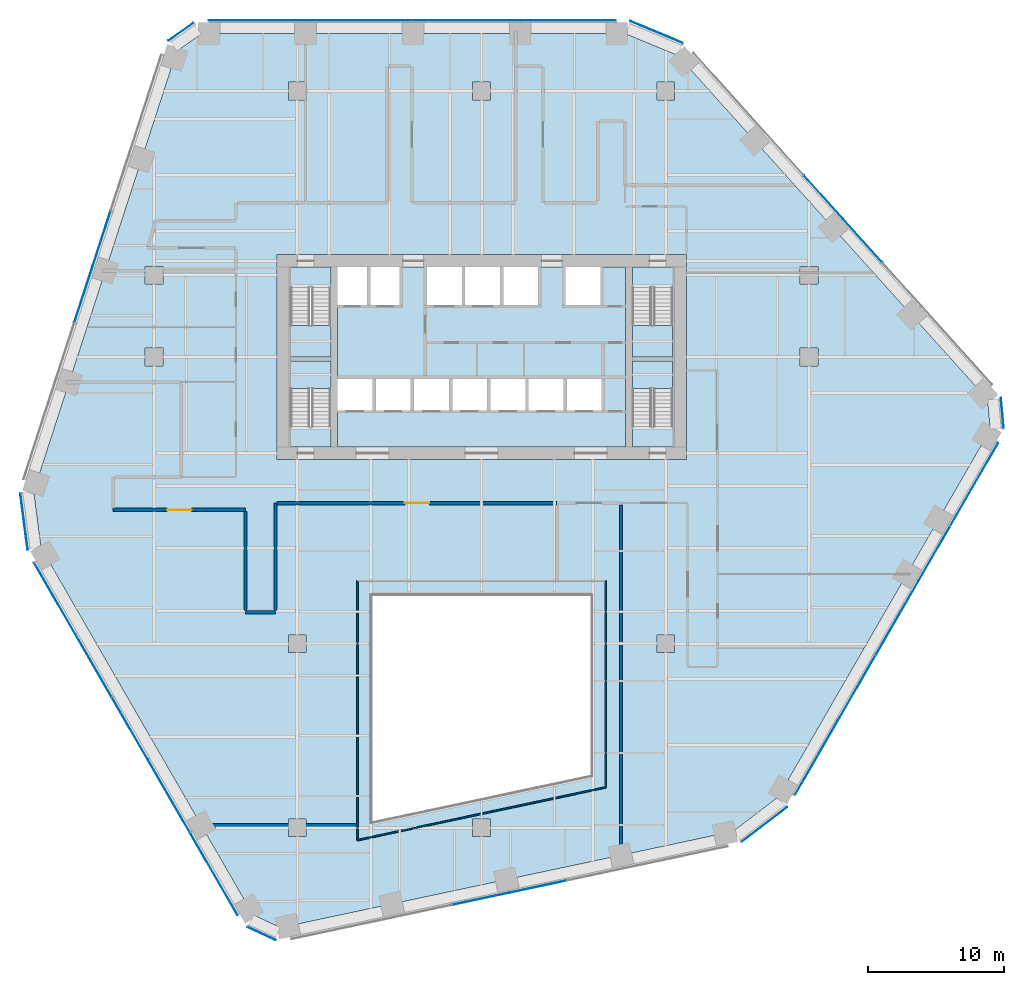
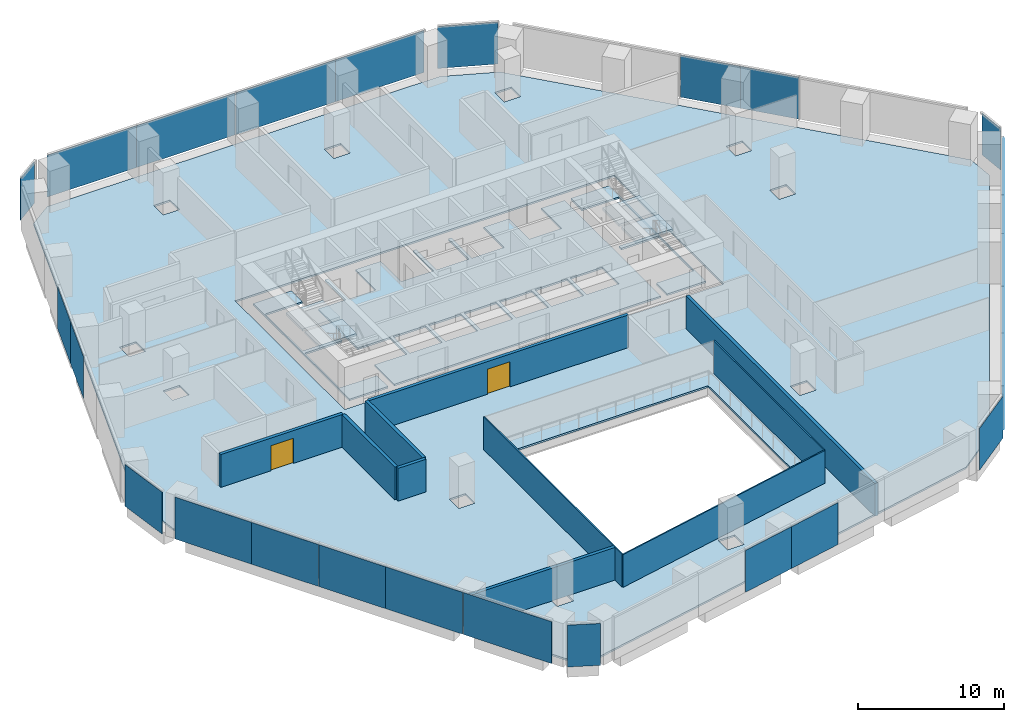
# One storey, part 13 of 21: 26 plates, 10 walls, 8 slabs, 2 doors, 2 openings, 16 elements without a shape of their own.
"""IFC4 building model written with IfcOpenShell, lengths in metres."""

from ifc_helpers import new_model, si_unit, direction, frame, frame_2d, origin, origin_2d, place, context, subcontext, project, spatial, polyline, rectangle, outline, extrude, material, layer, layer_set, type_object, element, fill, aggregate, save


model = new_model("IFC4")

# Units and contexts
model_context = context("Model", 3, precision=1e-05, world=origin(), true_north=direction((0.0, 1.0)))
body_context = subcontext(model_context, "Body", "Model", "MODEL_VIEW")
ifc_project = project(units=[si_unit("LENGTHUNIT", "METRE"), si_unit("AREAUNIT", "SQUARE_METRE"), si_unit("VOLUMEUNIT", "CUBIC_METRE"), si_unit("PLANEANGLEUNIT", "RADIAN"), si_unit("MASSUNIT", "GRAM", prefix="KILO")], contexts=[model_context])

# Site, building, storey
site_placement = place(None, origin())
site = spatial("IfcSite", under=ifc_project, at=site_placement, CompositionType="ELEMENT")
building_placement = place(site_placement, origin())
building = spatial("IfcBuilding", under=site, at=building_placement, Name="Isthmus Gate Tower", CompositionType="ELEMENT")
storey_placement = place(building_placement, frame((0.0, 0.0, 102.550048828125)))
storey = spatial("IfcBuildingStorey", under=building, at=storey_placement, Name="L24", CompositionType="ELEMENT", Elevation=102.550048828125)

# Slabs
ifc_material_1 = material(Name="Concrete f'c 40 MPa", Category="concrete")
ifc_layer_1 = layer(ifc_material_1, 0.14990234375)
ifc_layer_set_1 = layer_set([ifc_layer_1], Name="COMPOSITE FLOOR SLAB 150")
slab_type_1 = type_object("IfcSlabType", Name="COMPOSITE FLOOR SLAB 150", PredefinedType="FLOOR", material=ifc_layer_set_1)
slab_1_placement = place(storey_placement, frame((0.0, 0.0, -0.150146484375)))
element("IfcSlab", 1, at=slab_1_placement, inside=storey, type_object=slab_type_1, Name="str-slab-L24-1", PredefinedType="FLOOR", context=body_context, shape_type="SweptSolid", body=[
    extrude(outline(polyline([(14.391357421875, 29.599365234375), (37.081787109375, 4.399169921875), (37.281494140625, 2.17333984375), (21.748779296875, -24.729736328125), (18.438232421875, -27.262939453125), (-14.73095703125, -34.313232421875), (-16.758544921875, -33.373291015625), (-32.291015625, -6.47021484375), (-32.82958984375, -2.33642578125), (-22.3505859375, 29.9140625), (-20.52294921875, 31.199951171875), (10.542236328125, 31.199951171875), (14.391357421875, 29.599365234375)]), holes=[polyline([(-14.14990234375, -27.64990234375), (-12.85009765625, -27.64990234375), (-12.85009765625, -26.35009765625), (-14.14990234375, -26.35009765625), (-14.14990234375, -27.64990234375)]), polyline([(-0.64990234375, -26.35009765625), (-0.64990234375, -27.64990234375), (0.64990234375, -27.64990234375), (0.64990234375, -26.35009765625), (-0.64990234375, -26.35009765625)]), polyline([(-14.14990234375, -12.85009765625), (-14.14990234375, -14.14990234375), (-12.85009765625, -14.14990234375), (-12.85009765625, -12.85009765625), (-14.14990234375, -12.85009765625)]), polyline([(-24.64990234375, 8.14990234375), (-24.64990234375, 6.85009765625), (-23.35009765625, 6.85009765625), (-23.35009765625, 8.14990234375), (-24.64990234375, 8.14990234375)]), polyline([(-23.35009765625, 14.14990234375), (-24.64990234375, 14.14990234375), (-24.64990234375, 12.85009765625), (-23.35009765625, 12.85009765625), (-23.35009765625, 14.14990234375)]), polyline([(-14.14990234375, 27.64990234375), (-14.14990234375, 26.35009765625), (-12.85009765625, 26.35009765625), (-12.85009765625, 27.64990234375), (-14.14990234375, 27.64990234375)]), polyline([(-0.64990234375, 27.64990234375), (-0.64990234375, 26.35009765625), (0.64990234375, 26.35009765625), (0.64990234375, 27.64990234375), (-0.64990234375, 27.64990234375)]), polyline([(8.0, -23.143310546875), (8.0, -10.0), (-8.0, -10.0), (-8.0, -26.544189453125), (8.0, -23.143310546875)]), polyline([(14.14990234375, -12.85009765625), (12.85009765625, -12.85009765625), (12.85009765625, -14.14990234375), (14.14990234375, -14.14990234375), (14.14990234375, -12.85009765625)]), polyline([(15.0, 15.0), (-15.0, 15.0), (-15.0, 0.0), (15.0, 0.0), (15.0, 15.0)]), polyline([(24.64990234375, 8.14990234375), (23.35009765625, 8.14990234375), (23.35009765625, 6.85009765625), (24.64990234375, 6.85009765625), (24.64990234375, 8.14990234375)]), polyline([(23.35009765625, 14.14990234375), (23.35009765625, 12.85009765625), (24.64990234375, 12.85009765625), (24.64990234375, 14.14990234375), (23.35009765625, 14.14990234375)]), polyline([(14.14990234375, 27.64990234375), (12.85009765625, 27.64990234375), (12.85009765625, 26.35009765625), (14.14990234375, 26.35009765625), (14.14990234375, 27.64990234375)])]), origin(), (0.0, 0.0, 1.0), 0.150146484375),
])
ifc_material_2 = material(Name="Concrete f'c 40 MPa", Category="concrete")
ifc_layer_2 = layer(ifc_material_2, 0.14990234375)
ifc_layer_set_2 = layer_set([ifc_layer_2], Name="CORE FLOOR SLAB 150")
slab_type_2 = type_object("IfcSlabType", Name="CORE FLOOR SLAB 150", PredefinedType="FLOOR", material=ifc_layer_set_2)
slab_2_placement = place(storey_placement, frame((0.0, 0.0, -0.150146484375)))
element("IfcSlab", 2, at=slab_2_placement, inside=storey, type_object=slab_type_2, Name="L24 core floor", PredefinedType="FLOOR", context=body_context, shape_type="SweptSolid", body=[
    extrude(outline(polyline([(-11.050048828125, 0.89990234375), (-11.050048828125, 2.402099609375), (-14.0, 2.402099609375), (-14.0, 7.199951171875), (-11.050048828125, 7.199951171875), (-11.050048828125, 7.5), (-14.0, 7.5), (-14.0, 12.597900390625), (-11.050048828125, 12.597900390625), (-11.050048828125, 14.10009765625), (-14.10009765625, 14.10009765625), (-14.10009765625, 0.89990234375), (-11.050048828125, 0.89990234375)])), origin(), (0.0, 0.0, 1.0), 0.150146484375),
])
slab_3_placement = place(storey_placement, frame((0.0, 0.0, -0.150146484375)))
element("IfcSlab", 3, at=slab_3_placement, inside=storey, type_object=slab_type_2, Name="L24 core floor", PredefinedType="FLOOR", context=body_context, shape_type="SweptSolid", body=[
    extrude(outline(polyline([(10.550048828125, 14.10009765625), (8.699951171875, 14.10009765625), (8.699951171875, 11.300048828125), (6.14990234375, 11.300048828125), (6.14990234375, 14.10009765625), (4.14990234375, 14.10009765625), (4.14990234375, 11.300048828125), (1.60009765625, 11.300048828125), (1.60009765625, 14.10009765625), (1.35009765625, 14.10009765625), (1.35009765625, 11.300048828125), (-1.199951171875, 11.300048828125), (-1.199951171875, 14.10009765625), (-1.449951171875, 14.10009765625), (-1.449951171875, 11.300048828125), (-4.0, 11.300048828125), (-4.0, 14.10009765625), (-6.0, 14.10009765625), (-6.0, 11.300048828125), (-8.14990234375, 11.300048828125), (-8.14990234375, 14.10009765625), (-8.39990234375, 14.10009765625), (-8.39990234375, 11.300048828125), (-10.550048828125, 11.300048828125), (-10.550048828125, 5.89990234375), (-8.0, 5.89990234375), (-8.0, 3.60009765625), (-10.550048828125, 3.60009765625), (-10.550048828125, 0.89990234375), (10.550048828125, 0.89990234375), (10.550048828125, 14.10009765625)]), holes=[polyline([(-5.199951171875, 5.89990234375), (-5.199951171875, 3.60009765625), (-7.75, 3.60009765625), (-7.75, 5.89990234375), (-5.199951171875, 5.89990234375)]), polyline([(-2.39990234375, 5.89990234375), (-2.39990234375, 3.60009765625), (-4.949951171875, 3.60009765625), (-4.949951171875, 5.89990234375), (-2.39990234375, 5.89990234375)]), polyline([(0.39990234375, 5.89990234375), (0.39990234375, 3.60009765625), (-2.14990234375, 3.60009765625), (-2.14990234375, 5.89990234375), (0.39990234375, 5.89990234375)]), polyline([(3.199951171875, 5.89990234375), (3.199951171875, 3.60009765625), (0.64990234375, 3.60009765625), (0.64990234375, 5.89990234375), (3.199951171875, 5.89990234375)]), polyline([(6.0, 5.89990234375), (6.0, 3.60009765625), (3.449951171875, 3.60009765625), (3.449951171875, 5.89990234375), (6.0, 5.89990234375)]), polyline([(8.800048828125, 5.89990234375), (8.800048828125, 3.60009765625), (6.25, 3.60009765625), (6.25, 5.89990234375), (8.800048828125, 5.89990234375)])]), origin(), (0.0, 0.0, 1.0), 0.150146484375),
])
slab_4_placement = place(storey_placement, frame((0.0, 0.0, -0.150146484375)))
element("IfcSlab", 4, at=slab_4_placement, inside=storey, type_object=slab_type_2, Name="L24 core floor", PredefinedType="FLOOR", context=body_context, shape_type="SweptSolid", body=[
    extrude(outline(polyline([(11.050048828125, 14.10009765625), (11.050048828125, 12.597900390625), (14.0, 12.597900390625), (14.0, 7.5), (11.050048828125, 7.5), (11.050048828125, 7.199951171875), (14.0, 7.199951171875), (14.0, 2.402099609375), (11.050048828125, 2.402099609375), (11.050048828125, 0.89990234375), (14.10009765625, 0.89990234375), (14.10009765625, 14.10009765625), (11.050048828125, 14.10009765625)])), origin(), (0.0, 0.0, 1.0), 0.150146484375),
])

# Curtain wall, plates
ifc_material_3 = material(Name="Aluminium, pale champagne anodised", Category="aluminium")
ifc_layer_3 = layer(ifc_material_3, 0.199951171875)
ifc_layer_set_3 = layer_set([ifc_layer_3], Name="CW-1 UNITISED CURTAIN WALL 200 DEEP")
curtain_wall_type = type_object("IfcCurtainWallType", Name="CW-1 UNITISED CURTAIN WALL 200 DEEP", PredefinedType="NOTDEFINED", material=ifc_layer_set_3)
curtain_wall_1_placement = place(storey_placement, origin())
curtain_wall_1 = element("IfcCurtainWall", 5, at=curtain_wall_1_placement, inside=storey, type_object=curtain_wall_type, Name="CW-1 N L24", PredefinedType="NOTDEFINED")
ifc_material_4 = material(Name="Laminated low-iron glass, pale blue tint", Category="glass")
ifc_layer_4 = layer(ifc_material_4, 0.0400390625)
ifc_layer_set_4 = layer_set([ifc_layer_4], Name="CW-1 CLEAR GLASS LITE 40")
plate_type = type_object("IfcPlateType", Name="CW-1 CLEAR GLASS LITE 40", PredefinedType="CURTAIN_PANEL", material=ifc_layer_set_4)
plate_1_placement = place(storey_placement, frame((6.337158203125, 32.179931640625, 0.0), z_axis=(0.0, 0.0, 1.0), x_axis=(-1.0, 0.0, 0.0)))
plate_1 = element("IfcPlate", 6, at=plate_1_placement, type_object=plate_type, Name="CW-1 glass lite", PredefinedType="CURTAIN_PANEL", context=body_context, shape_type="SweptSolid", body=[
    extrude(rectangle(XDim=7.009521484375, YDim=0.0400390625, at=origin_2d()), origin(), (0.0, 0.0, 1.0), 3.5),
])
plate_2_placement = place(storey_placement, frame((-1.1025390625, 32.179931640625, 0.0), z_axis=(0.0, 0.0, 1.0), x_axis=(-1.0, 0.0, 0.0)))
plate_2 = element("IfcPlate", 7, at=plate_2_placement, type_object=plate_type, Name="CW-1 glass lite", PredefinedType="CURTAIN_PANEL", context=body_context, shape_type="SweptSolid", body=[
    extrude(rectangle(XDim=7.86962890625, YDim=0.0400390625, at=origin_2d()), origin(), (0.0, 0.0, 1.0), 3.5),
])
plate_3_placement = place(storey_placement, frame((-9.001953125, 32.179931640625, 0.0), z_axis=(0.0, 0.0, 1.0), x_axis=(-1.0, 0.0, 0.0)))
plate_3 = element("IfcPlate", 8, at=plate_3_placement, type_object=plate_type, Name="CW-1 glass lite", PredefinedType="CURTAIN_PANEL", context=body_context, shape_type="SweptSolid", body=[
    extrude(rectangle(XDim=7.8095703125, YDim=0.0400390625, at=origin_2d()), origin(), (0.0, 0.0, 1.0), 3.5),
])
plate_4_placement = place(storey_placement, frame((-16.44140625, 32.179931640625, 0.0), z_axis=(0.0, 0.0, 1.0), x_axis=(-1.0, 0.0, 0.0)))
plate_4 = element("IfcPlate", 9, at=plate_4_placement, type_object=plate_type, Name="CW-1 glass lite", PredefinedType="CURTAIN_PANEL", context=body_context, shape_type="SweptSolid", body=[
    extrude(rectangle(XDim=7.069580078125, YDim=0.0400390625, at=origin_2d()), origin(), (0.0, 0.0, 1.0), 3.5),
])
aggregate(curtain_wall_1, [plate_1, plate_2, plate_3, plate_4])

# Curtain wall, plate
curtain_wall_2_placement = place(storey_placement, origin())
curtain_wall_2 = element("IfcCurtainWall", 10, at=curtain_wall_2_placement, inside=storey, type_object=curtain_wall_type, Name="CW-1 N-NW L24", PredefinedType="NOTDEFINED")
plate_5_placement = place(storey_placement, frame((-22.025146484375, 31.341552734375, 0.0), z_axis=(0.0, 0.0, 1.0), x_axis=(-0.81785959165, -0.57541783805, 0.0)))
plate_5 = element("IfcPlate", 11, at=plate_5_placement, type_object=plate_type, Name="CW-1 glass lite", PredefinedType="CURTAIN_PANEL", context=body_context, shape_type="SweptSolid", body=[
    extrude(rectangle(XDim=2.258544921875, YDim=0.0400390625, at=origin_2d()), origin(), (0.0, 0.0, 1.0), 3.5),
])
aggregate(curtain_wall_2, [plate_5])

# Curtain wall, plates
curtain_wall_3_placement = place(storey_placement, origin())
curtain_wall_3 = element("IfcCurtainWall", 12, at=curtain_wall_3_placement, inside=storey, type_object=curtain_wall_type, Name="CW-1 NW L24", PredefinedType="NOTDEFINED")
plate_6_placement = place(storey_placement, frame((-27.8544921875, 16.146484375, 0.0), z_axis=(0.0, 0.0, 1.0), x_axis=(-0.309016994375, -0.951056516295, 0.0)))
plate_6 = element("IfcPlate", 13, at=plate_6_placement, type_object=plate_type, Name="CW-1 glass lite", PredefinedType="CURTAIN_PANEL", context=body_context, shape_type="SweptSolid", body=[
    extrude(rectangle(XDim=4.234619140625, YDim=0.0400390625, at=origin_2d()), origin(), (0.0, 0.0, 1.0), 3.5),
])
plate_7_placement = place(storey_placement, frame((-29.17236328125, 12.09033203125, 0.0), z_axis=(0.0, 0.0, 1.0), x_axis=(-0.309016994375, -0.951056516295, 0.0)))
plate_7 = element("IfcPlate", 14, at=plate_7_placement, type_object=plate_type, Name="CW-1 glass lite", PredefinedType="CURTAIN_PANEL", context=body_context, shape_type="SweptSolid", body=[
    extrude(rectangle(XDim=4.294677734375, YDim=0.0400390625, at=origin_2d()), origin(), (0.0, 0.0, 1.0), 3.5),
])
aggregate(curtain_wall_3, [plate_6, plate_7])

# Curtain wall, plate
curtain_wall_4_placement = place(storey_placement, origin())
curtain_wall_4 = element("IfcCurtainWall", 15, at=curtain_wall_4_placement, inside=storey, type_object=curtain_wall_type, Name="CW-1 NW-SW L24", PredefinedType="NOTDEFINED")
plate_8_placement = place(storey_placement, frame((-33.5283203125, -4.558349609375, 0.0), z_axis=(0.0, 0.0, 1.0), x_axis=(0.129164534, -0.991623175988, 0.0)))
plate_8 = element("IfcPlate", 16, at=plate_8_placement, type_object=plate_type, Name="CW-1 glass lite", PredefinedType="CURTAIN_PANEL", context=body_context, shape_type="SweptSolid", body=[
    extrude(rectangle(XDim=4.181396484375, YDim=0.0400390625, at=origin_2d()), origin(), (0.0, 0.0, 1.0), 3.5),
])
aggregate(curtain_wall_4, [plate_8])

# Curtain wall, plates
curtain_wall_5_placement = place(storey_placement, origin())
curtain_wall_5 = element("IfcCurtainWall", 17, at=curtain_wall_5_placement, inside=storey, type_object=curtain_wall_type, Name="CW-1 SW L24", PredefinedType="NOTDEFINED")
plate_9_placement = place(storey_placement, frame((-31.277587890625, -10.185791015625, 0.0), z_axis=(0.0, 0.0, 1.0), x_axis=(0.5, -0.866025403784, 0.0)))
plate_9 = element("IfcPlate", 18, at=plate_9_placement, type_object=plate_type, Name="CW-1 glass lite", PredefinedType="CURTAIN_PANEL", context=body_context, shape_type="SweptSolid", body=[
    extrude(rectangle(XDim=6.048583984375, YDim=0.0400390625, at=origin_2d()), origin(), (0.0, 0.0, 1.0), 3.5),
])
plate_10_placement = place(storey_placement, frame((-28.438232421875, -15.103759765625, 0.0), z_axis=(0.0, 0.0, 1.0), x_axis=(0.5, -0.866025403784, 0.0)))
plate_10 = element("IfcPlate", 19, at=plate_10_placement, type_object=plate_type, Name="CW-1 glass lite", PredefinedType="CURTAIN_PANEL", context=body_context, shape_type="SweptSolid", body=[
    extrude(rectangle(XDim=5.30859375, YDim=0.0400390625, at=origin_2d()), origin(), (0.0, 0.0, 1.0), 3.5),
])
plate_11_placement = place(storey_placement, frame((-25.768798828125, -19.72705078125, 0.0), z_axis=(0.0, 0.0, 1.0), x_axis=(0.5, -0.866025403784, 0.0)))
plate_11 = element("IfcPlate", 20, at=plate_11_placement, type_object=plate_type, Name="CW-1 glass lite", PredefinedType="CURTAIN_PANEL", context=body_context, shape_type="SweptSolid", body=[
    extrude(rectangle(XDim=5.24853515625, YDim=0.0400390625, at=origin_2d()), origin(), (0.0, 0.0, 1.0), 3.5),
])
plate_12_placement = place(storey_placement, frame((-22.929443359375, -24.644775390625, 0.0), z_axis=(0.0, 0.0, 1.0), x_axis=(0.5, -0.866025403784, 0.0)))
plate_12 = element("IfcPlate", 21, at=plate_12_placement, type_object=plate_type, Name="CW-1 glass lite", PredefinedType="CURTAIN_PANEL", context=body_context, shape_type="SweptSolid", body=[
    extrude(rectangle(XDim=6.108642578125, YDim=0.0400390625, at=origin_2d()), origin(), (0.0, 0.0, 1.0), 3.5),
])
plate_13_placement = place(storey_placement, frame((-19.62646484375, -30.365966796875, 0.0), z_axis=(0.0, 0.0, 1.0), x_axis=(0.5, -0.866025403784, 0.0)))
plate_13 = element("IfcPlate", 22, at=plate_13_placement, type_object=plate_type, Name="CW-1 glass lite", PredefinedType="CURTAIN_PANEL", context=body_context, shape_type="SweptSolid", body=[
    extrude(rectangle(XDim=6.983642578125, YDim=0.0400390625, at=origin_2d()), origin(), (0.0, 0.0, 1.0), 3.5),
])
aggregate(curtain_wall_5, [plate_9, plate_10, plate_11, plate_12, plate_13])

# Curtain wall, plate
curtain_wall_6_placement = place(storey_placement, origin())
curtain_wall_6 = element("IfcCurtainWall", 23, at=curtain_wall_6_placement, inside=storey, type_object=curtain_wall_type, Name="CW-1 SW-S L24", PredefinedType="NOTDEFINED")
plate_14_placement = place(storey_placement, frame((-16.1298828125, -34.7451171875, 0.0), z_axis=(0.0, 0.0, 1.0), x_axis=(0.907256261367, -0.420578264073, 0.0)))
plate_14 = element("IfcPlate", 24, at=plate_14_placement, type_object=plate_type, Name="CW-1 glass lite", PredefinedType="CURTAIN_PANEL", context=body_context, shape_type="SweptSolid", body=[
    extrude(rectangle(XDim=2.258544921875, YDim=0.0400390625, at=origin_2d()), origin(), (0.0, 0.0, 1.0), 3.5),
])
aggregate(curtain_wall_6, [plate_14])

# Curtain wall, plates
curtain_wall_7_placement = place(storey_placement, origin())
curtain_wall_7 = element("IfcCurtainWall", 25, at=curtain_wall_7_placement, inside=storey, type_object=curtain_wall_type, Name="CW-1 S L24", PredefinedType="NOTDEFINED")
plate_15_placement = place(storey_placement, frame((-0.055908203125, -32.19580078125, 0.0), z_axis=(0.0, 0.0, 1.0), x_axis=(0.978147600734, 0.207911690818, 0.0)))
plate_15 = element("IfcPlate", 26, at=plate_15_placement, type_object=plate_type, Name="CW-1 glass lite", PredefinedType="CURTAIN_PANEL", context=body_context, shape_type="SweptSolid", body=[
    extrude(rectangle(XDim=4.234619140625, YDim=0.0400390625, at=origin_2d()), origin(), (0.0, 0.0, 1.0), 3.5),
])
plate_16_placement = place(storey_placement, frame((4.115478515625, -31.309326171875, 0.0), z_axis=(0.0, 0.0, 1.0), x_axis=(0.978147600734, 0.207911690818, 0.0)))
plate_16 = element("IfcPlate", 27, at=plate_16_placement, type_object=plate_type, Name="CW-1 glass lite", PredefinedType="CURTAIN_PANEL", context=body_context, shape_type="SweptSolid", body=[
    extrude(rectangle(XDim=4.294677734375, YDim=0.0400390625, at=origin_2d()), origin(), (0.0, 0.0, 1.0), 3.5),
])
aggregate(curtain_wall_7, [plate_15, plate_16])

# Curtain wall, plate
curtain_wall_8_placement = place(storey_placement, origin())
curtain_wall_8 = element("IfcCurtainWall", 28, at=curtain_wall_8_placement, inside=storey, type_object=curtain_wall_type, Name="CW-1 S-SE L24", PredefinedType="NOTDEFINED")
plate_17_placement = place(storey_placement, frame((20.711669921875, -26.75732421875, 0.0), z_axis=(0.0, 0.0, 1.0), x_axis=(0.794188594387, 0.607671355706, 0.0)))
plate_17 = element("IfcPlate", 29, at=plate_17_placement, type_object=plate_type, Name="CW-1 glass lite", PredefinedType="CURTAIN_PANEL", context=body_context, shape_type="SweptSolid", body=[
    extrude(rectangle(XDim=4.181396484375, YDim=0.0400390625, at=origin_2d()), origin(), (0.0, 0.0, 1.0), 3.5),
])
aggregate(curtain_wall_8, [plate_17])

# Curtain wall, plates
curtain_wall_9_placement = place(storey_placement, origin())
curtain_wall_9 = element("IfcCurtainWall", 30, at=curtain_wall_9_placement, inside=storey, type_object=curtain_wall_type, Name="CW-1 SE L24", PredefinedType="NOTDEFINED")
plate_18_placement = place(storey_placement, frame((24.517333984375, -21.89453125, 0.0), z_axis=(0.0, 0.0, 1.0), x_axis=(0.5, 0.866025403784, 0.0)))
plate_18 = element("IfcPlate", 31, at=plate_18_placement, type_object=plate_type, Name="CW-1 glass lite", PredefinedType="CURTAIN_PANEL", context=body_context, shape_type="SweptSolid", body=[
    extrude(rectangle(XDim=6.278564453125, YDim=0.0400390625, at=origin_2d()), origin(), (0.0, 0.0, 1.0), 3.5),
])
plate_19_placement = place(storey_placement, frame((27.4716796875, -16.777587890625, 0.0), z_axis=(0.0, 0.0, 1.0), x_axis=(0.5, 0.866025403784, 0.0)))
plate_19 = element("IfcPlate", 32, at=plate_19_placement, type_object=plate_type, Name="CW-1 glass lite", PredefinedType="CURTAIN_PANEL", context=body_context, shape_type="SweptSolid", body=[
    extrude(rectangle(XDim=5.53857421875, YDim=0.0400390625, at=origin_2d()), origin(), (0.0, 0.0, 1.0), 3.5),
])
plate_20_placement = place(storey_placement, frame((30.4560546875, -11.608642578125, 0.0), z_axis=(0.0, 0.0, 1.0), x_axis=(0.5, 0.866025403784, 0.0)))
plate_20 = element("IfcPlate", 33, at=plate_20_placement, type_object=plate_type, Name="CW-1 glass lite", PredefinedType="CURTAIN_PANEL", context=body_context, shape_type="SweptSolid", body=[
    extrude(rectangle(XDim=6.278564453125, YDim=0.0400390625, at=origin_2d()), origin(), (0.0, 0.0, 1.0), 3.5),
])
plate_21_placement = place(storey_placement, frame((33.173828125, -6.901123046875, 0.0), z_axis=(0.0, 0.0, 1.0), x_axis=(0.5, 0.866025403784, 0.0)))
plate_21 = element("IfcPlate", 34, at=plate_21_placement, type_object=plate_type, Name="CW-1 glass lite", PredefinedType="CURTAIN_PANEL", context=body_context, shape_type="SweptSolid", body=[
    extrude(rectangle(XDim=4.5927734375, YDim=0.0400390625, at=origin_2d()), origin(), (0.0, 0.0, 1.0), 3.5),
])
plate_22_placement = place(storey_placement, frame((36.1044921875, -1.8251953125, 0.0), z_axis=(0.0, 0.0, 1.0), x_axis=(0.5, 0.866025403784, 0.0)))
plate_22 = element("IfcPlate", 35, at=plate_22_placement, type_object=plate_type, Name="CW-1 glass lite", PredefinedType="CURTAIN_PANEL", context=body_context, shape_type="SweptSolid", body=[
    extrude(rectangle(XDim=7.009521484375, YDim=0.0400390625, at=origin_2d()), origin(), (0.0, 0.0, 1.0), 3.5),
])
aggregate(curtain_wall_9, [plate_18, plate_19, plate_20, plate_21, plate_22])

# Curtain wall, plate
curtain_wall_10_placement = place(storey_placement, origin())
curtain_wall_10 = element("IfcCurtainWall", 36, at=curtain_wall_10_placement, inside=storey, type_object=curtain_wall_type, Name="CW-1 SE-NE L24", PredefinedType="NOTDEFINED")
plate_23_placement = place(storey_placement, frame((38.155029296875, 3.403564453125, 0.0), z_axis=(0.0, 0.0, 1.0), x_axis=(-0.089396669717, 0.995996102123, 0.0)))
plate_23 = element("IfcPlate", 37, at=plate_23_placement, type_object=plate_type, Name="CW-1 glass lite", PredefinedType="CURTAIN_PANEL", context=body_context, shape_type="SweptSolid", body=[
    extrude(rectangle(XDim=2.258544921875, YDim=0.0400390625, at=origin_2d()), origin(), (0.0, 0.0, 1.0), 3.5),
])
aggregate(curtain_wall_10, [plate_23])

# Curtain wall, plates
curtain_wall_11_placement = place(storey_placement, origin())
curtain_wall_11 = element("IfcCurtainWall", 38, at=curtain_wall_11_placement, inside=storey, type_object=curtain_wall_type, Name="CW-1 NE L24", PredefinedType="NOTDEFINED")
plate_24_placement = place(storey_placement, frame((27.910400390625, 16.049560546875, 0.0), z_axis=(0.0, 0.0, 1.0), x_axis=(-0.669130606359, 0.743144825477, 0.0)))
plate_24 = element("IfcPlate", 39, at=plate_24_placement, type_object=plate_type, Name="CW-1 glass lite", PredefinedType="CURTAIN_PANEL", context=body_context, shape_type="SweptSolid", body=[
    extrude(rectangle(XDim=4.234619140625, YDim=0.0400390625, at=origin_2d()), origin(), (0.0, 0.0, 1.0), 3.5),
])
plate_25_placement = place(storey_placement, frame((25.056884765625, 19.21875, 0.0), z_axis=(0.0, 0.0, 1.0), x_axis=(-0.669130606359, 0.743144825477, 0.0)))
plate_25 = element("IfcPlate", 40, at=plate_25_placement, type_object=plate_type, Name="CW-1 glass lite", PredefinedType="CURTAIN_PANEL", context=body_context, shape_type="SweptSolid", body=[
    extrude(rectangle(XDim=4.294677734375, YDim=0.0400390625, at=origin_2d()), origin(), (0.0, 0.0, 1.0), 3.5),
])
aggregate(curtain_wall_11, [plate_24, plate_25])

# Curtain wall, plate
curtain_wall_12_placement = place(storey_placement, origin())
curtain_wall_12 = element("IfcCurtainWall", 41, at=curtain_wall_12_placement, inside=storey, type_object=curtain_wall_type, Name="CW-1 NE-N L24", PredefinedType="NOTDEFINED")
plate_26_placement = place(storey_placement, frame((12.816650390625, 31.315673828125, 0.0), z_axis=(0.0, 0.0, 1.0), x_axis=(-0.923353128387, 0.383951820282, 0.0)))
plate_26 = element("IfcPlate", 42, at=plate_26_placement, type_object=plate_type, Name="CW-1 glass lite", PredefinedType="CURTAIN_PANEL", context=body_context, shape_type="SweptSolid", body=[
    extrude(rectangle(XDim=4.181396484375, YDim=0.0400390625, at=origin_2d()), origin(), (0.0, 0.0, 1.0), 3.5),
])
aggregate(curtain_wall_12, [plate_26])

# Stair, slab
ifc_material_5 = material(Name="Concrete f'c 40 MPa", Category="concrete")
stair_type = type_object("IfcStairType", Name="CORE STAIR 22 RISERS", PredefinedType="HALF_TURN_STAIR", material=ifc_material_5)
stair_1_placement = place(storey_placement, origin())
stair_1 = element("IfcStair", 43, at=stair_1_placement, inside=storey, type_object=stair_type, Name="L24 Exit Stair 1", PredefinedType="HALF_TURN_STAIR")
ifc_material_6 = material(Name="Concrete f'c 40 MPa", Category="concrete")
ifc_layer_5 = layer(ifc_material_6, 0.199951171875)
ifc_layer_set_5 = layer_set([ifc_layer_5])
slab_type_3 = type_object("IfcSlabType", Name="STAIR LANDING RC 200", PredefinedType="LANDING", material=ifc_layer_set_5)
slab_5_placement = place(storey_placement, frame((0.0, 0.0, 1.625)))
slab_5 = element("IfcSlab", 44, at=slab_5_placement, type_object=slab_type_3, Name="ST1 landing 1", PredefinedType="LANDING", context=body_context, shape_type="SweptSolid", body=[
    extrude(outline(polyline([(-14.0, 9.800048828125), (-14.0, 7.5), (-11.050048828125, 7.5), (-11.050048828125, 9.800048828125), (-14.0, 9.800048828125)])), origin(), (0.0, 0.0, 1.0), 0.199951171875),
])
aggregate(stair_1, [slab_5])

stair_2_placement = place(storey_placement, origin())
stair_2 = element("IfcStair", 45, at=stair_2_placement, inside=storey, type_object=stair_type, Name="L24 Exit Stair 2", PredefinedType="HALF_TURN_STAIR")
slab_6_placement = place(storey_placement, frame((0.0, 0.0, 1.625)))
slab_6 = element("IfcSlab", 46, at=slab_6_placement, type_object=slab_type_3, Name="ST2 landing 1", PredefinedType="LANDING", context=body_context, shape_type="SweptSolid", body=[
    extrude(outline(polyline([(11.050048828125, 9.800048828125), (11.050048828125, 7.5), (14.0, 7.5), (14.0, 9.800048828125), (11.050048828125, 9.800048828125)])), origin(), (0.0, 0.0, 1.0), 0.199951171875),
])
aggregate(stair_2, [slab_6])

stair_3_placement = place(storey_placement, origin())
stair_3 = element("IfcStair", 47, at=stair_3_placement, inside=storey, type_object=stair_type, Name="L24 Exit Stair 7", PredefinedType="HALF_TURN_STAIR")
slab_7_placement = place(storey_placement, frame((0.0, 0.0, 1.625)))
slab_7 = element("IfcSlab", 48, at=slab_7_placement, type_object=slab_type_3, Name="ST7 landing 1", PredefinedType="LANDING", context=body_context, shape_type="SweptSolid", body=[
    extrude(outline(polyline([(-11.050048828125, 5.199951171875), (-11.050048828125, 7.199951171875), (-14.0, 7.199951171875), (-14.0, 5.199951171875), (-11.050048828125, 5.199951171875)])), origin(), (0.0, 0.0, 1.0), 0.199951171875),
])
aggregate(stair_3, [slab_7])

stair_4_placement = place(storey_placement, origin())
stair_4 = element("IfcStair", 49, at=stair_4_placement, inside=storey, type_object=stair_type, Name="L24 Exit Stair 8", PredefinedType="HALF_TURN_STAIR")
slab_8_placement = place(storey_placement, frame((0.0, 0.0, 1.625)))
slab_8 = element("IfcSlab", 50, at=slab_8_placement, type_object=slab_type_3, Name="ST8 landing 1", PredefinedType="LANDING", context=body_context, shape_type="SweptSolid", body=[
    extrude(outline(polyline([(14.0, 5.199951171875), (14.0, 7.199951171875), (11.050048828125, 7.199951171875), (11.050048828125, 5.199951171875), (14.0, 5.199951171875)])), origin(), (0.0, 0.0, 1.0), 0.199951171875),
])
aggregate(stair_4, [slab_8])

# Wall, opening, door
ifc_material_7 = material(Name="Double-leaf acoustic stud wall, fire-rated", Category="gypsum")
ifc_layer_6 = layer(ifc_material_7, 0.25)
ifc_layer_set_6 = layer_set([ifc_layer_6], Name="ACOUSTIC WALL 250 60 MIN")
wall_type_1 = type_object("IfcWallType", Name="ACOUSTIC WALL 250 60 MIN", PredefinedType="PARTITIONING", material=ifc_layer_set_6)
wall_1_placement = place(storey_placement, frame((5.5390625, -3.199951171875, 0.0), z_axis=(0.0, 0.0, 1.0), x_axis=(-1.0, 0.0, 0.0)))
wall_1 = element("IfcWall", 51, at=wall_1_placement, inside=storey, type_object=wall_type_1, Name="L24 Acoustic Wall 250 60 Min", PredefinedType="PARTITIONING", context=body_context, shape_type="SweptSolid", body=[
    extrude(rectangle(XDim=20.51416015625, YDim=0.25, at=frame_2d((10.257080078125, 0.0))), origin(), (0.0, 0.0, 1.0), 2.7412109375),
])
opening_1_placement = place(wall_1_placement, frame((9.369384765625, 0.0, 0.0)))
opening_1 = element("IfcOpeningElement", 52, at=opening_1_placement, cuts=wall_1, Name="Opening DT-T2C-10", PredefinedType="OPENING", context=body_context, shape_type="SweptSolid", body=[
    extrude(rectangle(XDim=1.800048828125, YDim=2.10009765625, at=frame_2d((0.89990234375, 1.050048828125))), frame((0.0, 0.135009765625, 0.0), z_axis=(0.0, -1.0, 0.0), x_axis=(1.0, 0.0, 0.0)), (0.0, 0.0, 1.0), 0.27001953125),
])
ifc_material_8 = material(Name="Solid core timber door leaf, fire-rated", Category="wood")
door_type = type_object("IfcDoorType", Name="FIRE DOOR ACOUSTIC ROOM 1800 X 2100 60 MIN", OperationType="DOUBLE_DOOR_DOUBLE_SWING", PredefinedType="DOOR", material=ifc_material_8)
door_1_placement = place(opening_1_placement, origin())
door_1 = element("IfcDoor", 53, at=door_1_placement, inside=storey, type_object=door_type, Name="L24 room door", OperationType="DOUBLE_DOOR_DOUBLE_SWING", OverallHeight=2.10009765625, OverallWidth=1.800048828125, PredefinedType="DOOR", context=body_context, shape_type="SweptSolid", body=[
    extrude(rectangle(XDim=1.800048828125, YDim=2.10009765625, at=frame_2d((0.89990234375, 1.050048828125))), frame((0.0, 0.02490234375, 0.0), z_axis=(0.0, -1.0, 0.0), x_axis=(1.0, 0.0, 0.0)), (0.0, 0.0, 1.0), 0.050048828125),
])
fill(opening_1, door_1)

wall_2_placement = place(storey_placement, frame((-17.300048828125, -3.699951171875, 0.0), z_axis=(0.0, 0.0, 1.0), x_axis=(-1.0, 0.0, 0.0)))
wall_2 = element("IfcWall", 54, at=wall_2_placement, inside=storey, type_object=wall_type_1, Name="L24 Acoustic Wall 250 60 Min", PredefinedType="PARTITIONING", context=body_context, shape_type="SweptSolid", body=[
    extrude(rectangle(XDim=9.699951171875, YDim=0.25, at=frame_2d((4.85009765625, 0.0))), origin(), (0.0, 0.0, 1.0), 2.7412109375),
])
opening_2_placement = place(wall_2_placement, frame((3.949951171875, 0.0, 0.0)))
opening_2 = element("IfcOpeningElement", 55, at=opening_2_placement, cuts=wall_2, Name="Opening DT-T2C-11", PredefinedType="OPENING", context=body_context, shape_type="SweptSolid", body=[
    extrude(rectangle(XDim=1.800048828125, YDim=2.10009765625, at=frame_2d((0.89990234375, 1.050048828125))), frame((0.0, 0.135009765625, 0.0), z_axis=(0.0, -1.0, 0.0), x_axis=(1.0, 0.0, 0.0)), (0.0, 0.0, 1.0), 0.27001953125),
])
door_2_placement = place(opening_2_placement, origin())
door_2 = element("IfcDoor", 56, at=door_2_placement, inside=storey, type_object=door_type, Name="L24 room door", OperationType="DOUBLE_DOOR_DOUBLE_SWING", OverallHeight=2.10009765625, OverallWidth=1.800048828125, PredefinedType="DOOR", context=body_context, shape_type="SweptSolid", body=[
    extrude(rectangle(XDim=1.800048828125, YDim=2.10009765625, at=frame_2d((0.89990234375, 1.050048828125))), frame((0.0, 0.02490234375, 0.0), z_axis=(0.0, -1.0, 0.0), x_axis=(1.0, 0.0, 0.0)), (0.0, 0.0, 1.0), 0.050048828125),
])
fill(opening_2, door_2)

# Walls
wall_3_placement = place(storey_placement, frame((-15.10009765625, -11.199951171875, 0.0), z_axis=(0.0, 0.0, 1.0), x_axis=(-1.0, 0.0, 0.0)))
element("IfcWall", 57, at=wall_3_placement, inside=storey, type_object=wall_type_1, Name="L24 Acoustic Wall 250 60 Min", PredefinedType="PARTITIONING", context=body_context, shape_type="SweptSolid", body=[
    extrude(rectangle(XDim=2.199951171875, YDim=0.25, at=frame_2d((1.10009765625, 0.0))), origin(), (0.0, 0.0, 1.0), 2.7412109375),
])
wall_4_placement = place(storey_placement, frame((-15.10009765625, -3.199951171875, 0.0), z_axis=(0.0, 0.0, 1.0), x_axis=(0.0, -1.0, 0.0)))
element("IfcWall", 58, at=wall_4_placement, inside=storey, type_object=wall_type_1, Name="L24 Acoustic Wall 250 60 Min", PredefinedType="PARTITIONING", context=body_context, shape_type="SweptSolid", body=[
    extrude(rectangle(XDim=7.875, YDim=0.25, at=frame_2d((3.9375, 0.0))), origin(), (0.0, 0.0, 1.0), 2.7412109375),
])
wall_5_placement = place(storey_placement, frame((-17.300048828125, -11.074951171875, 0.0), z_axis=(0.0, 0.0, 1.0), x_axis=(0.0, 1.0, 0.0)))
element("IfcWall", 59, at=wall_5_placement, inside=storey, type_object=wall_type_1, Name="L24 Acoustic Wall 250 60 Min", PredefinedType="PARTITIONING", context=body_context, shape_type="SweptSolid", body=[
    extrude(rectangle(XDim=7.25, YDim=0.25, at=frame_2d((3.625, 0.0))), origin(), (0.0, 0.0, 1.0), 2.7412109375),
])
wall_6_placement = place(storey_placement, frame((-20.784912109375, -26.800048828125, 0.0), z_axis=(0.0, 0.0, 1.0), x_axis=(1.0, 0.0, 0.0)))
element("IfcWall", 60, at=wall_6_placement, inside=storey, type_object=wall_type_1, Name="L24 Acoustic Wall 250 60 Min", PredefinedType="PARTITIONING", context=body_context, shape_type="SweptSolid", body=[
    extrude(rectangle(XDim=11.635009765625, YDim=0.25, at=frame_2d((5.8173828125, 0.0))), origin(), (0.0, 0.0, 1.0), 2.7412109375),
])
wall_7_placement = place(storey_placement, frame((10.212890625, -29.216064453125, 0.0), z_axis=(0.0, 0.0, 1.0), x_axis=(0.0, 1.0, 0.0)))
element("IfcWall", 61, at=wall_7_placement, inside=storey, type_object=wall_type_1, Name="L24 Acoustic Wall 250 60 Min", PredefinedType="PARTITIONING", context=body_context, shape_type="SweptSolid", body=[
    extrude(rectangle(XDim=25.89111328125, YDim=0.25, at=frame_2d((12.945556640625, 0.0))), origin(), (0.0, 0.0, 1.0), 2.7412109375),
])
ifc_material_9 = material(Name="Fire-rated laminated glass in steel frame", Category="steel")
ifc_layer_7 = layer(ifc_material_9, 0.10009765625)
ifc_layer_set_7 = layer_set([ifc_layer_7], Name="ATRIUM SCREEN GLAZED WALL 100 120 MIN")
wall_type_2 = type_object("IfcWallType", Name="ATRIUM SCREEN GLAZED WALL 100 120 MIN", PredefinedType="PARTITIONING", material=ifc_layer_set_7)
wall_8_placement = place(storey_placement, frame((9.10009765625, -8.89990234375, 0.0), z_axis=(0.0, 0.0, 1.0), x_axis=(0.0, -1.0, 0.0)))
element("IfcWall", 62, at=wall_8_placement, inside=storey, type_object=wall_type_2, Name="L24 atrium screen", PredefinedType="PARTITIONING", context=body_context, shape_type="SweptSolid", body=[
    extrude(rectangle(XDim=15.134033203125, YDim=0.10009765625, at=frame_2d((7.56689453125, 0.0))), origin(), (0.0, 0.0, 1.0), 2.7412109375),
])
wall_9_placement = place(storey_placement, frame((9.10009765625, -24.033935546875, 0.0), z_axis=(0.0, 0.0, 1.0), x_axis=(-0.978146710971, -0.207915876778, 0.0)))
element("IfcWall", 63, at=wall_9_placement, inside=storey, type_object=wall_type_2, Name="L24 atrium screen", PredefinedType="PARTITIONING", context=body_context, shape_type="SweptSolid", body=[
    extrude(rectangle(XDim=18.60693359375, YDim=0.10009765625, at=frame_2d((9.303466796875, 0.0))), origin(), (0.0, 0.0, 1.0), 2.7412109375),
])
wall_10_placement = place(storey_placement, frame((-9.10009765625, -27.902587890625, 0.0), z_axis=(0.0, 0.0, 1.0), x_axis=(0.0, 1.0, 0.0)))
element("IfcWall", 64, at=wall_10_placement, inside=storey, type_object=wall_type_2, Name="L24 atrium screen", PredefinedType="PARTITIONING", context=body_context, shape_type="SweptSolid", body=[
    extrude(rectangle(XDim=19.002685546875, YDim=0.10009765625, at=frame_2d((9.50146484375, 0.0))), origin(), (0.0, 0.0, 1.0), 2.7412109375),
])

save(model, "model.ifc")
